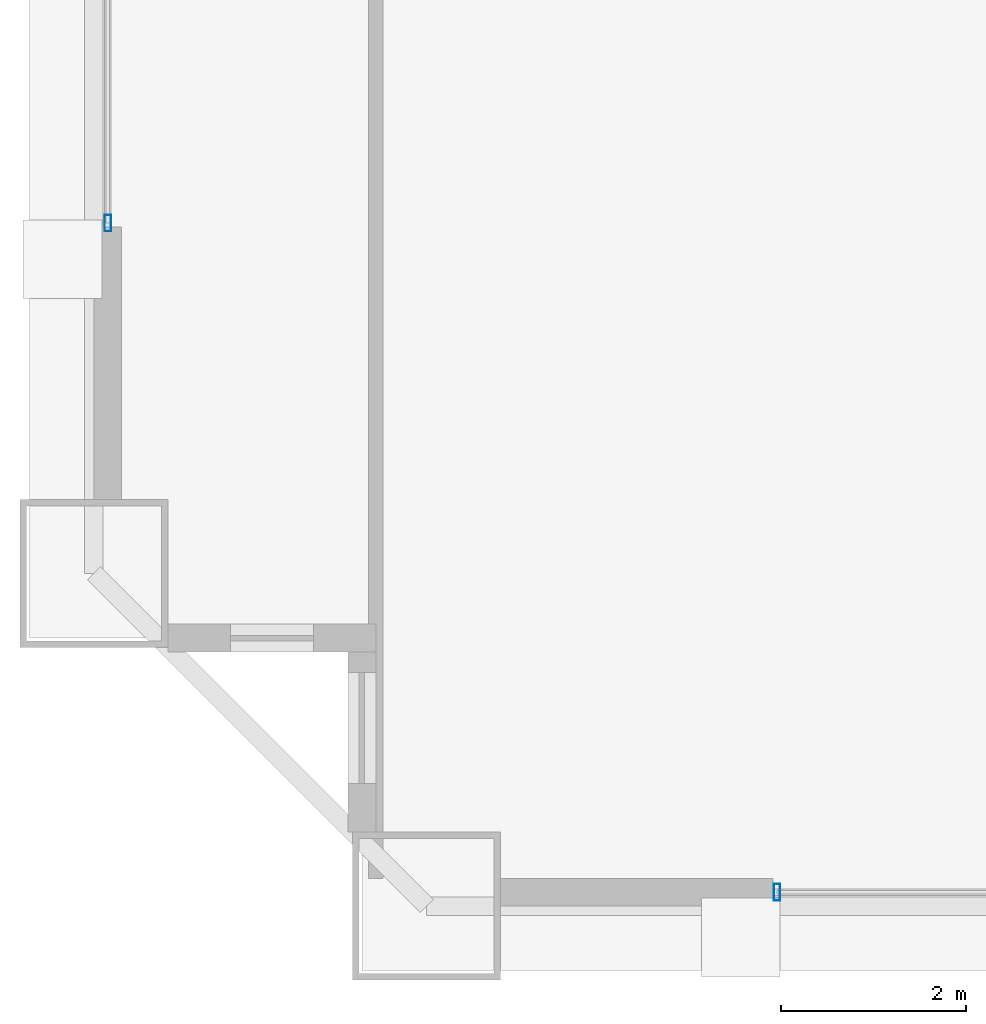
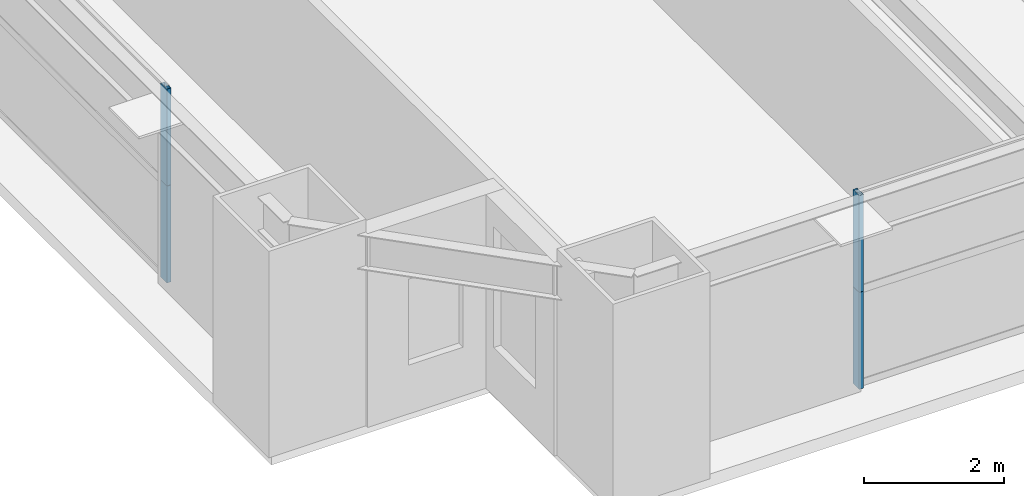
# One storey, part 3 of 38: 4 members, 2 elements without a shape of their own.
"""IFC4 building model written with IfcOpenShell, lengths in metres."""

import ifcopenshell
import ifcopenshell.guid

model = None  # the IFC model being written
_history = None  # IfcOwnerHistory: only IFC2X3 demands one
_inside = {}  # id of a spatial element -> (the spatial element, [elements in it])
_under = {}  # id of a project, library or spatial element -> (it, [spatial elements below it])
_declared = {}  # id of a project -> (the project, [libraries it declares])
_typed = {}  # id of a type object -> (the type object, [elements of that type])
_made_of = {}  # id of a material, layer set ... -> (it, [elements and type objects made of it])


def new_model(schema):
    """Start an empty IFC model of exactly this schema.

    Asked for "IFC4X3", IfcOpenShell would pick the latest addendum, in which some entities
    have other attributes; the version numbers below select the first issue.
    IFC2X3 requires an IfcOwnerHistory on every rooted entity: one is made here for all.
    """
    global model, _history
    if schema == "IFC4X3":
        model = ifcopenshell.file(schema_version=(4, 3, 0, 0))
    else:
        model = ifcopenshell.file(schema=schema)
    _inside.clear()
    _under.clear()
    _declared.clear()
    _typed.clear()
    _made_of.clear()
    _history = None
    if model.schema == "IFC2X3":
        org = make("IfcOrganization", Name="unknown")
        user = make(
            "IfcPersonAndOrganization",
            ThePerson=make("IfcPerson", FamilyName="unknown"),
            TheOrganization=org,
        )
        app = make(
            "IfcApplication",
            ApplicationDeveloper=org,
            Version="unknown",
            ApplicationFullName="unknown",
            ApplicationIdentifier="unknown",
        )
        _history = make(
            "IfcOwnerHistory",
            OwningUser=user,
            OwningApplication=app,
            ChangeAction="ADDED",
            CreationDate=0,
        )
    return model


def make(cls, **values):
    """One entity of the class cls with the attributes given. An attribute that is None is left unset."""
    return model.create_entity(
        cls, **{name: value for name, value in values.items() if value is not None}
    )


def rooted(cls, **values):
    """An entity with a GlobalId (a new one), such as an element, a storey or a relation."""
    return make(cls, GlobalId=ifcopenshell.guid.new(), OwnerHistory=_history, **values)


def si_unit(unit_type, name, prefix=None):
    """IfcSIUnit, for example si_unit("LENGTHUNIT", "METRE", prefix="MILLI")."""
    return make("IfcSIUnit", UnitType=unit_type, Prefix=prefix, Name=name)


def assignment(units):
    """IfcUnitAssignment: the units of a project."""
    return None if units is None else make("IfcUnitAssignment", Units=units)


def point(xyz):
    """IfcCartesianPoint."""
    return None if xyz is None else make("IfcCartesianPoint", Coordinates=xyz)


def direction(xyz):
    """IfcDirection."""
    return None if xyz is None else make("IfcDirection", DirectionRatios=xyz)


def frame(location, z_axis=None, x_axis=None):
    """IfcAxis2Placement3D, a coordinate frame: its origin and axes. An axis left out is left unset."""
    return make(
        "IfcAxis2Placement3D",
        Location=point(location),
        Axis=direction(z_axis),
        RefDirection=direction(x_axis),
    )


def frame_2d(location, x_axis=None):
    """IfcAxis2Placement2D, a coordinate frame in the plane: its origin and x axis."""
    return make(
        "IfcAxis2Placement2D", Location=point(location), RefDirection=direction(x_axis)
    )


def origin():
    """The frame at (0, 0, 0) with its axes left unset."""
    return frame((0.0, 0.0, 0.0))


def origin_2d():
    """The frame at (0, 0) in the plane with its x axis left unset."""
    return frame_2d((0.0, 0.0))


def place(relative_to, where):
    """IfcLocalPlacement: puts the frame where relative to a parent placement (None: the world)."""
    return make(
        "IfcLocalPlacement", PlacementRelTo=relative_to, RelativePlacement=where
    )


def context(
    kind, dimensions, precision=None, world=None, true_north=None, identifier=None
):
    """IfcGeometricRepresentationContext, for example the 3D "Model" context."""
    return make(
        "IfcGeometricRepresentationContext",
        ContextIdentifier=identifier,
        ContextType=kind,
        CoordinateSpaceDimension=dimensions,
        Precision=precision,
        WorldCoordinateSystem=world,
        TrueNorth=true_north,
    )


def subcontext(parent, identifier, kind, view, scale=None):
    """IfcGeometricRepresentationSubContext, for example "Body" below "Model"."""
    return make(
        "IfcGeometricRepresentationSubContext",
        ContextIdentifier=identifier,
        ContextType=kind,
        ParentContext=parent,
        TargetScale=scale,
        TargetView=view,
    )


def project(units=None, contexts=None):
    """IfcProject with its units and contexts."""
    return rooted(
        "IfcProject",
        Name="project",
        RepresentationContexts=contexts,
        UnitsInContext=assignment(units),
    )


def spatial(cls, under=None, at=None, **own):
    """A site, building, storey or space (cls), placed at a placement, below another one or the project."""
    s = rooted(cls, ObjectPlacement=at, **own)
    if under is not None:
        _under.setdefault(under.id(), (under, []))[1].append(s)
    return s


def profile(cls, at=None, kind="AREA", **sizes):
    """A parametric profile (cls). Its sizes go by their IFC names, for example OverallWidth=200.0."""
    return make(cls, ProfileType=kind, Position=at, **sizes)


def hollow_rectangle(**sizes):
    """IfcRectangleHollowProfileDef."""
    return profile("IfcRectangleHollowProfileDef", **sizes)


def extrude(swept, where, along, depth):
    """IfcExtrudedAreaSolid: the profile swept, set in the frame where, extruded along a direction by depth."""
    return make(
        "IfcExtrudedAreaSolid",
        SweptArea=swept,
        Position=where,
        ExtrudedDirection=direction(along),
        Depth=depth,
    )


def shape(context_of_items, identifier, shape_type, items):
    """IfcShapeRepresentation: the items that make up one representation, for example the "Body"."""
    return make(
        "IfcShapeRepresentation",
        ContextOfItems=context_of_items,
        RepresentationIdentifier=identifier,
        RepresentationType=shape_type,
        Items=items,
    )


def source(mapping_origin, context_of_items, identifier, shape_type, items):
    """IfcRepresentationMap: a shape defined once, which mapped items show again and again."""
    return make(
        "IfcRepresentationMap",
        MappingOrigin=mapping_origin,
        MappedRepresentation=shape(context_of_items, identifier, shape_type, items),
    )


def transform(
    local_origin,
    x_axis=None,
    y_axis=None,
    z_axis=None,
    scale=None,
    scale2=None,
    scale3=None,
    uniform=True,
):
    """IfcCartesianTransformationOperator3D, or its non-uniform kind. x_axis, y_axis, z_axis: its Axis1, 2, 3."""
    if uniform:
        return make(
            "IfcCartesianTransformationOperator3D",
            Axis1=direction(x_axis),
            Axis2=direction(y_axis),
            LocalOrigin=point(local_origin),
            Scale=scale,
            Axis3=direction(z_axis),
        )
    return make(
        "IfcCartesianTransformationOperator3DnonUniform",
        Axis1=direction(x_axis),
        Axis2=direction(y_axis),
        LocalOrigin=point(local_origin),
        Scale=scale,
        Axis3=direction(z_axis),
        Scale2=scale2,
        Scale3=scale3,
    )


def mapped(mapping_source, mapping_target):
    """IfcMappedItem: shows the shape of a source again, moved by a transform."""
    return make(
        "IfcMappedItem", MappingSource=mapping_source, MappingTarget=mapping_target
    )


def material(Name=None, Category=None):
    """IfcMaterial."""
    return make("IfcMaterial", Name=Name, Category=Category)


def layer(
    of_material, thickness, ventilated=None, Name=None, Category=None, Priority=None
):
    """IfcMaterialLayer: one layer of a wall or slab, of a material (None: an air gap)."""
    return make(
        "IfcMaterialLayer",
        Material=of_material,
        LayerThickness=thickness,
        IsVentilated=ventilated,
        Name=Name,
        Category=Category,
        Priority=Priority,
    )


def layer_set(layers, Name=None):
    """IfcMaterialLayerSet."""
    return make("IfcMaterialLayerSet", MaterialLayers=layers, LayerSetName=Name)


def material_profile(
    of_material, cross_section, Name=None, Category=None, Priority=None
):
    """IfcMaterialProfile: a cross section and its material."""
    return make(
        "IfcMaterialProfile",
        Name=Name,
        Material=of_material,
        Profile=cross_section,
        Priority=Priority,
        Category=Category,
    )


def profile_set(profiles, Name=None, composite=None):
    """IfcMaterialProfileSet."""
    return make(
        "IfcMaterialProfileSet",
        Name=Name,
        MaterialProfiles=profiles,
        CompositeProfile=composite,
    )


def made_of(thing, what):
    """Note that an element or type object is made of a material, layer set ...; save() writes the relation."""
    if what is not None:
        _made_of.setdefault(what.id(), (what, []))[1].append(thing)
    return thing


def type_object(cls, material=None, **own):
    """A type object (cls), such as IfcWallType, which elements share."""
    return made_of(rooted(cls, **own), material)


def element(
    cls,
    number,
    at=None,
    inside=None,
    cuts=None,
    type_object=None,
    material=None,
    context=None,
    identifier="Body",
    shape_type=None,
    held_by="IfcProductDefinitionShape",
    body=None,
    shapes=None,
    **own,
):
    """One element of the class cls, such as IfcWall. Its Tag is "e" and its number.

    at: its placement. inside: the storey or other place that contains it. cuts: it is an
    opening in that element (IfcRelVoidsElement). A single representation is given by context,
    identifier, shape_type and body (its items); several are given by shapes. held_by: the class
    of the entity that holds the representations. save() writes the other relations.
    """
    e = rooted(cls, Tag="e%d" % number, ObjectPlacement=at, **own)
    if body is not None:
        shapes = [shape(context, identifier, shape_type, body)]
    if shapes is not None:
        e.Representation = make(held_by, Representations=shapes)
    if inside is not None:
        _inside.setdefault(inside.id(), (inside, []))[1].append(e)
    if cuts is not None:
        rooted(
            "IfcRelVoidsElement", RelatingBuildingElement=cuts, RelatedOpeningElement=e
        )
    if type_object is not None:
        _typed.setdefault(type_object.id(), (type_object, []))[1].append(e)
    return made_of(e, material)


def aggregate(whole, parts):
    """IfcRelAggregates: a whole, such as a stair, and the parts it consists of."""
    return rooted("IfcRelAggregates", RelatingObject=whole, RelatedObjects=parts)


def save(model, path):
    """Write the relations noted so far, then the file.

    IfcRelAggregates (storeys below a building ...), IfcRelContainedInSpatialStructure (elements
    in a storey), IfcRelDefinesByType, IfcRelAssociatesMaterial and IfcRelDeclares: one each for
    every whole, place, type object, material and project.
    """
    for whole, parts in _under.values():
        aggregate(whole, parts)
    for where, things in _inside.values():
        rooted(
            "IfcRelContainedInSpatialStructure",
            RelatedElements=things,
            RelatingStructure=where,
        )
    for kind, things in _typed.values():
        rooted("IfcRelDefinesByType", RelatedObjects=things, RelatingType=kind)
    for what, things in _made_of.values():
        rooted("IfcRelAssociatesMaterial", RelatedObjects=things, RelatingMaterial=what)
    for by, libraries in _declared.values():
        rooted("IfcRelDeclares", RelatingContext=by, RelatedDefinitions=libraries)
    model.write(path)


model = new_model("IFC4")

# Units and contexts
model_context = context("Model", 3, precision=1e-05, world=origin(), true_north=direction((0.0, 1.0)))
body_context = subcontext(model_context, "Body", "Model", "MODEL_VIEW")
ifc_project = project(units=[si_unit("LENGTHUNIT", "METRE"), si_unit("AREAUNIT", "SQUARE_METRE"), si_unit("VOLUMEUNIT", "CUBIC_METRE"), si_unit("PLANEANGLEUNIT", "RADIAN"), si_unit("MASSUNIT", "GRAM", prefix="KILO"), si_unit("THERMODYNAMICTEMPERATUREUNIT", "KELVIN"), si_unit("POWERUNIT", "WATT")], contexts=[model_context])

# Site, building, storey
site_placement = place(None, origin())
site = spatial("IfcSite", under=ifc_project, at=site_placement, CompositionType="ELEMENT")
building_placement = place(site_placement, origin())
building = spatial("IfcBuilding", under=site, at=building_placement, Name="Yuzanri Waterfront Tower", CompositionType="ELEMENT")
storey_placement = place(building_placement, frame((0.0, 0.0, 97.39990234375)))
storey = spatial("IfcBuildingStorey", under=building, at=storey_placement, Name="L25", CompositionType="ELEMENT", Elevation=97.39990234375)

# Curtain wall, members
ifc_material_1 = material(Name="Anodized Architectural Bronze", Category="metal")
ifc_layer = layer(ifc_material_1, 0.159912109375)
ifc_layer_set = layer_set([ifc_layer], Name="Anodized Architectural Bronze")
curtain_wall_type = type_object("IfcCurtainWallType", Name="Anodized Bronze Hotel Upper-Tier Solar-Control Unitized Curtain Wall 7800", PredefinedType="NOTDEFINED", material=ifc_layer_set)
curtain_wall_1_placement = place(storey_placement, origin())
curtain_wall_1 = element("IfcCurtainWall", 1, at=curtain_wall_1_placement, inside=storey, type_object=curtain_wall_type, Name="L25 Curtain Wall CW-L25-SL", PredefinedType="NOTDEFINED")
ifc_material_2 = material(Name="Anodized Architectural Bronze", Category="metal")
ifc_material_profile = material_profile(ifc_material_2, hollow_rectangle(XDim=0.070068359375, YDim=0.179931640625, WallThickness=0.00390625, at=origin_2d()), Name="CWM 70x180")
ifc_profile_set = profile_set([ifc_material_profile], Name="Anodized Architectural Bronze")
member_type = type_object("IfcMemberType", Name="Anodized Bronze Standard Curtain-Wall Mullion 70x180", PredefinedType="MULLION", material=ifc_profile_set)
shared_shape = source(origin(), body_context, "Body", "SweptSolid", [
    extrude(hollow_rectangle(XDim=0.070068359375, YDim=0.179931640625, WallThickness=0.00390625, at=origin_2d()), origin(), (0.0, 0.0, 1.0), 1.68798828125),
])
member_1_placement = place(storey_placement, frame((20.7900390625, 2.35009765625, 0.0), z_axis=(0.0, 0.0, 1.0), x_axis=(1.0, 0.0, 0.0)))
member_1 = element("IfcMember", 2, at=member_1_placement, type_object=member_type, Name="CW-L25-SL Lower Mullion 00", PredefinedType="MULLION", context=body_context, shape_type="MappedRepresentation", body=[
    mapped(shared_shape, transform((0.0, 0.0, 0.0), scale=1.0)),
])
member_2_placement = place(storey_placement, frame((20.7900390625, 2.35009765625, 1.692138671875), z_axis=(0.0, 0.0, 1.0), x_axis=(1.0, 0.0, 0.0)))
member_2 = element("IfcMember", 3, at=member_2_placement, type_object=member_type, Name="CW-L25-SL Upper Mullion 00", PredefinedType="MULLION", context=body_context, shape_type="MappedRepresentation", body=[
    mapped(shared_shape, transform((0.0, 0.0, 0.0), scale=1.0)),
])
aggregate(curtain_wall_1, [member_1, member_2])

curtain_wall_2_placement = place(storey_placement, origin())
curtain_wall_2 = element("IfcCurtainWall", 4, at=curtain_wall_2_placement, inside=storey, type_object=curtain_wall_type, Name="L25 Curtain Wall CW-L25-WL", PredefinedType="NOTDEFINED")
member_3_placement = place(storey_placement, frame((13.550048828125, 9.590087890625, 0.0), z_axis=(0.0, 0.0, 1.0), x_axis=(1.0, 0.0, 0.0)))
member_3 = element("IfcMember", 5, at=member_3_placement, type_object=member_type, Name="CW-L25-WL Lower Mullion 00", PredefinedType="MULLION", context=body_context, shape_type="MappedRepresentation", body=[
    mapped(shared_shape, transform((0.0, 0.0, 0.0), scale=1.0)),
])
member_4_placement = place(storey_placement, frame((13.550048828125, 9.590087890625, 1.692138671875), z_axis=(0.0, 0.0, 1.0), x_axis=(1.0, 0.0, 0.0)))
member_4 = element("IfcMember", 6, at=member_4_placement, type_object=member_type, Name="CW-L25-WL Upper Mullion 00", PredefinedType="MULLION", context=body_context, shape_type="MappedRepresentation", body=[
    mapped(shared_shape, transform((0.0, 0.0, 0.0), scale=1.0)),
])
aggregate(curtain_wall_2, [member_3, member_4])

save(model, "model.ifc")
